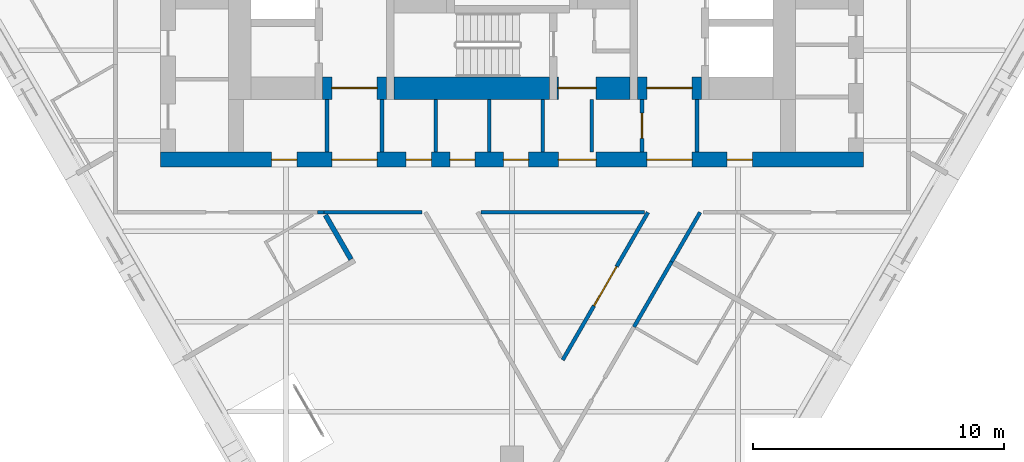
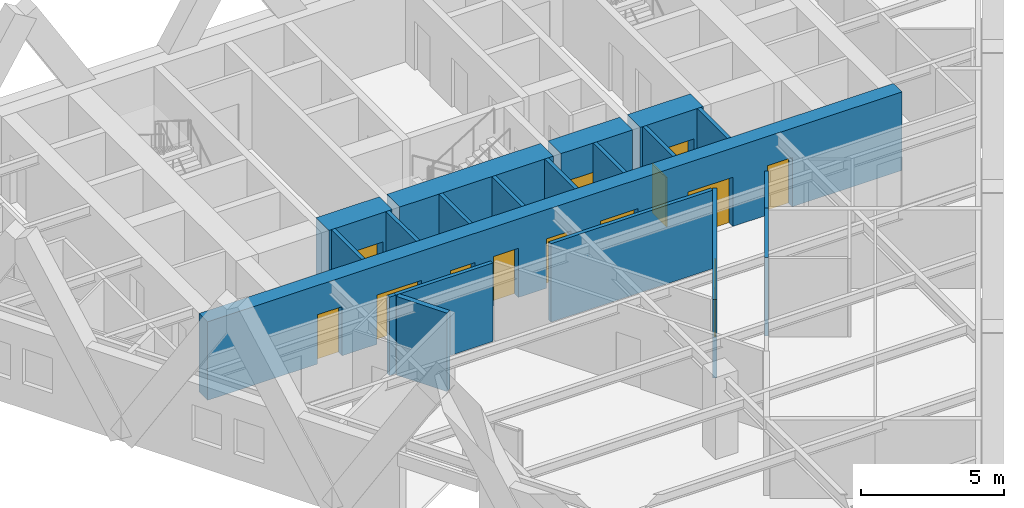
# One storey, part 7 of 12: 20 walls, 13 doors, 13 openings.
"""IFC4 building model written with IfcOpenShell, lengths in metres."""

from ifc_helpers import new_model, si_unit, direction, frame, frame_2d, origin, place, context, subcontext, project, spatial, rectangle, extrude, material, layer, layer_set, type_object, element, fill, save


model = new_model("IFC4")

# Units and contexts
model_context = context("Model", 3, precision=1e-05, world=origin(), true_north=direction((0.0, 1.0)))
body_context = subcontext(model_context, "Body", "Model", "MODEL_VIEW")
ifc_project = project(units=[si_unit("LENGTHUNIT", "METRE"), si_unit("AREAUNIT", "SQUARE_METRE"), si_unit("VOLUMEUNIT", "CUBIC_METRE"), si_unit("PLANEANGLEUNIT", "RADIAN"), si_unit("MASSUNIT", "GRAM", prefix="KILO")], contexts=[model_context])

# Site, building, storey
site_placement = place(None, origin())
site = spatial("IfcSite", under=ifc_project, at=site_placement, CompositionType="ELEMENT")
building_placement = place(site_placement, origin())
building = spatial("IfcBuilding", under=site, at=building_placement, Name="Aloe Facet Convention Tower", CompositionType="ELEMENT")
storey_placement = place(building_placement, frame((0.0, 0.0, 102.800048828125)))
storey = spatial("IfcBuildingStorey", under=building, at=storey_placement, Name="L25", CompositionType="ELEMENT", Elevation=102.800048828125)

# Walls
ifc_material_1 = material(Name="Concrete blockwork partition", Category="masonry")
ifc_layer_1 = layer(ifc_material_1, 0.14990234375)
ifc_layer_set_1 = layer_set([ifc_layer_1], Name="CR-W-PART150")
wall_type_1 = type_object("IfcWallType", Name="CR-W-PART150", PredefinedType="PARTITIONING", material=ifc_layer_set_1)
for number, where, z_axis, x_axis, name in (
    (1, (72.625, 122.25, 0.0), (0.0, 0.0, 1.0), (0.0, -1.0, 0.0), "Core partition L25-016"),
    (2, (74.824951171875, 122.25, 0.0), (0.0, 0.0, 1.0), (0.0, -1.0, 0.0), "Core partition L25-017"),
    (3, (76.958251953125, 122.25, 0.0), (0.0, 0.0, 1.0), (0.0, -1.0, 0.0), "Core partition L25-023"),
    (4, (79.091552734375, 122.25, 0.0), (0.0, 0.0, 1.0), (0.0, -1.0, 0.0), "Core partition L25-026"),
    (5, (81.22509765625, 122.25, 0.0), (0.0, 0.0, 1.0), (0.0, -1.0, 0.0), "Core partition L25-027"),
    (6, (83.175048828125, 122.25, 0.0), (0.0, 0.0, 1.0), (0.0, -1.0, 0.0), "Core partition L25-034"),
):
    element("IfcWall", number, at=place(storey_placement, frame(where, z_axis=z_axis, x_axis=x_axis)), inside=storey, type_object=wall_type_1, Name=name, PredefinedType="PARTITIONING", context=body_context, shape_type="SweptSolid", body=[
        extrude(rectangle(XDim=2.10009765625, YDim=0.14990234375, at=frame_2d((1.050048828125, 0.0))), origin(), (0.0, 0.0, 1.0), 3.349853515625),
    ])

# Wall, opening, door
wall_1_placement = place(storey_placement, frame((85.175048828125, 122.25, 0.0), z_axis=(0.0, 0.0, 1.0), x_axis=(0.0, -1.0, 0.0)))
wall_1 = element("IfcWall", 7, at=wall_1_placement, inside=storey, type_object=wall_type_1, Name="Core partition L25-040", PredefinedType="PARTITIONING", context=body_context, shape_type="SweptSolid", body=[
    extrude(rectangle(XDim=2.10009765625, YDim=0.14990234375, at=frame_2d((1.050048828125, 0.0))), origin(), (0.0, 0.0, 1.0), 3.349853515625),
])
opening_1_placement = place(wall_1_placement, frame((0.550048828125, 0.0, 0.0)))
opening_1 = element("IfcOpeningElement", 8, at=opening_1_placement, cuts=wall_1, Name="Opening L25-CD28", PredefinedType="OPENING", context=body_context, shape_type="SweptSolid", body=[
    extrude(rectangle(XDim=1.0, YDim=2.10009765625, at=frame_2d((0.5, 1.050048828125))), frame((0.0, 0.0849609375, 0.0), z_axis=(0.0, -1.0, 0.0), x_axis=(1.0, 0.0, 0.0)), (0.0, 0.0, 1.0), 0.169921875),
])
ifc_material_2 = material(Name="Steel fire-resisting door set FD60", Category="steel")
door_type_1 = type_object("IfcDoorType", Name="CR-D-ROOM-1000-FD60-SRIGHT", OperationType="SINGLE_SWING_RIGHT", PredefinedType="DOOR", material=ifc_material_2)
door_1_placement = place(opening_1_placement, origin())
door_1 = element("IfcDoor", 9, at=door_1_placement, inside=storey, type_object=door_type_1, Name="Core door L25-CD28", OperationType="SINGLE_SWING_RIGHT", OverallHeight=2.10009765625, OverallWidth=1.0, PredefinedType="DOOR", context=body_context, shape_type="SweptSolid", body=[
    extrude(rectangle(XDim=1.0, YDim=2.10009765625, at=frame_2d((0.5, 1.050048828125))), frame((0.0, 0.02490234375, 0.0), z_axis=(0.0, -1.0, 0.0), x_axis=(1.0, 0.0, 0.0)), (0.0, 0.0, 1.0), 0.050048828125),
])
fill(opening_1, door_1)

# Wall
wall_2_placement = place(storey_placement, frame((87.375, 122.25, 0.0), z_axis=(0.0, 0.0, 1.0), x_axis=(0.0, -1.0, 0.0)))
element("IfcWall", 10, at=wall_2_placement, inside=storey, type_object=wall_type_1, Name="Core partition L25-041", PredefinedType="PARTITIONING", context=body_context, shape_type="SweptSolid", body=[
    extrude(rectangle(XDim=2.10009765625, YDim=0.14990234375, at=frame_2d((1.050048828125, 0.0))), origin(), (0.0, 0.0, 1.0), 3.349853515625),
])

# Wall, openings, doors
ifc_material_3 = material(Name="Concrete C70/85", Category="concrete")
ifc_layer_2 = layer(ifc_material_3, 0.60009765625)
ifc_layer_set_2 = layer_set([ifc_layer_2], Name="CR-W-RC600-C7085")
wall_type_2 = type_object("IfcWallType", Name="CR-W-RC600-C7085", PredefinedType="SOLIDWALL", material=ifc_layer_set_2)
wall_3_placement = place(storey_placement, frame((66.0, 119.85009765625, 0.0), z_axis=(0.0, 0.0, 1.0), x_axis=(1.0, 0.0, 0.0)))
wall_3 = element("IfcWall", 11, at=wall_3_placement, inside=storey, type_object=wall_type_2, Name="Core wall L25-003", PredefinedType="SOLIDWALL", context=body_context, shape_type="SweptSolid", body=[
    extrude(rectangle(XDim=28.0, YDim=0.60009765625, at=frame_2d((14.0, 0.0))), origin(), (0.0, 0.0, 1.0), 3.349853515625),
])
opening_2_placement = place(wall_3_placement, frame((6.824951171875, 0.0, 0.0)))
opening_2 = element("IfcOpeningElement", 12, at=opening_2_placement, cuts=wall_3, Name="Opening L25-CD17", PredefinedType="OPENING", context=body_context, shape_type="SweptSolid", body=[
    extrude(rectangle(XDim=1.800048828125, YDim=2.10009765625, at=frame_2d((0.89990234375, 1.050048828125))), frame((0.0, 0.31005859375, 0.0), z_axis=(0.0, -1.0, 0.0), x_axis=(1.0, 0.0, 0.0)), (0.0, 0.0, 1.0), 0.6201171875),
])
opening_3_placement = place(wall_3_placement, frame((15.85009765625, 0.0, 0.0)))
opening_3 = element("IfcOpeningElement", 13, at=opening_3_placement, cuts=wall_3, Name="Opening L25-CD18", PredefinedType="OPENING", context=body_context, shape_type="SweptSolid", body=[
    extrude(rectangle(XDim=1.5, YDim=2.10009765625, at=frame_2d((0.75, 1.050048828125))), frame((0.0, 0.31005859375, 0.0), z_axis=(0.0, -1.0, 0.0), x_axis=(1.0, 0.0, 0.0)), (0.0, 0.0, 1.0), 0.6201171875),
])
opening_4_placement = place(wall_3_placement, frame((19.375, 0.0, 0.0)))
opening_4 = element("IfcOpeningElement", 14, at=opening_4_placement, cuts=wall_3, Name="Opening L25-CD19", PredefinedType="OPENING", context=body_context, shape_type="SweptSolid", body=[
    extrude(rectangle(XDim=1.800048828125, YDim=2.10009765625, at=frame_2d((0.89990234375, 1.050048828125))), frame((0.0, 0.31005859375, 0.0), z_axis=(0.0, -1.0, 0.0), x_axis=(1.0, 0.0, 0.0)), (0.0, 0.0, 1.0), 0.6201171875),
])
opening_5_placement = place(wall_3_placement, frame((4.425048828125, 0.0, 0.0)))
opening_5 = element("IfcOpeningElement", 15, at=opening_5_placement, cuts=wall_3, Name="Opening L25-CD24", PredefinedType="OPENING", context=body_context, shape_type="SweptSolid", body=[
    extrude(rectangle(XDim=1.0, YDim=2.10009765625, at=frame_2d((0.5, 1.050048828125))), frame((0.0, 0.31005859375, 0.0), z_axis=(0.0, -1.0, 0.0), x_axis=(1.0, 0.0, 0.0)), (0.0, 0.0, 1.0), 0.6201171875),
])
opening_6_placement = place(wall_3_placement, frame((9.783203125, 0.0, 0.0)))
opening_6 = element("IfcOpeningElement", 16, at=opening_6_placement, cuts=wall_3, Name="Opening L25-CD25", PredefinedType="OPENING", context=body_context, shape_type="SweptSolid", body=[
    extrude(rectangle(XDim=1.0, YDim=2.10009765625, at=frame_2d((0.5, 1.050048828125))), frame((0.0, 0.31005859375, 0.0), z_axis=(0.0, -1.0, 0.0), x_axis=(1.0, 0.0, 0.0)), (0.0, 0.0, 1.0), 0.6201171875),
])
opening_7_placement = place(wall_3_placement, frame((11.52490234375, 0.0, 0.0)))
opening_7 = element("IfcOpeningElement", 17, at=opening_7_placement, cuts=wall_3, Name="Opening L25-CD26", PredefinedType="OPENING", context=body_context, shape_type="SweptSolid", body=[
    extrude(rectangle(XDim=1.0, YDim=2.10009765625, at=frame_2d((0.5, 1.050048828125))), frame((0.0, 0.31005859375, 0.0), z_axis=(0.0, -1.0, 0.0), x_axis=(1.0, 0.0, 0.0)), (0.0, 0.0, 1.0), 0.6201171875),
])
opening_8_placement = place(wall_3_placement, frame((13.658203125, 0.0, 0.0)))
opening_8 = element("IfcOpeningElement", 18, at=opening_8_placement, cuts=wall_3, Name="Opening L25-CD27", PredefinedType="OPENING", context=body_context, shape_type="SweptSolid", body=[
    extrude(rectangle(XDim=1.0, YDim=2.10009765625, at=frame_2d((0.5, 1.050048828125))), frame((0.0, 0.31005859375, 0.0), z_axis=(0.0, -1.0, 0.0), x_axis=(1.0, 0.0, 0.0)), (0.0, 0.0, 1.0), 0.6201171875),
])
opening_9_placement = place(wall_3_placement, frame((22.574951171875, 0.0, 0.0)))
opening_9 = element("IfcOpeningElement", 19, at=opening_9_placement, cuts=wall_3, Name="Opening L25-CD29", PredefinedType="OPENING", context=body_context, shape_type="SweptSolid", body=[
    extrude(rectangle(XDim=1.0, YDim=2.10009765625, at=frame_2d((0.5, 1.050048828125))), frame((0.0, 0.31005859375, 0.0), z_axis=(0.0, -1.0, 0.0), x_axis=(1.0, 0.0, 0.0)), (0.0, 0.0, 1.0), 0.6201171875),
])
ifc_material_4 = material(Name="Steel fire-resisting door set FD60", Category="steel")
door_type_2 = type_object("IfcDoorType", Name="CR-D-EXIT-1500-FD60-DD", OperationType="DOUBLE_DOOR_DOUBLE_SWING", PredefinedType="DOOR", material=ifc_material_4)
door_2_placement = place(opening_3_placement, origin())
door_2 = element("IfcDoor", 20, at=door_2_placement, inside=storey, type_object=door_type_2, Name="Core door L25-CD18", OperationType="DOUBLE_DOOR_DOUBLE_SWING", OverallHeight=2.10009765625, OverallWidth=1.5, PredefinedType="DOOR", context=body_context, shape_type="SweptSolid", body=[
    extrude(rectangle(XDim=1.5, YDim=2.10009765625, at=frame_2d((0.75, 1.050048828125))), frame((0.0, 0.02490234375, 0.0), z_axis=(0.0, -1.0, 0.0), x_axis=(1.0, 0.0, 0.0)), (0.0, 0.0, 1.0), 0.050048828125),
])
fill(opening_3, door_2)
ifc_material_5 = material(Name="Steel fire-resisting door set FD60", Category="steel")
door_type_3 = type_object("IfcDoorType", Name="CR-D-EXIT-1800-FD60-DD", OperationType="DOUBLE_DOOR_DOUBLE_SWING", PredefinedType="DOOR", material=ifc_material_5)
door_3_placement = place(opening_2_placement, origin())
door_3 = element("IfcDoor", 21, at=door_3_placement, inside=storey, type_object=door_type_3, Name="Core door L25-CD17", OperationType="DOUBLE_DOOR_DOUBLE_SWING", OverallHeight=2.10009765625, OverallWidth=1.800048828125, PredefinedType="DOOR", context=body_context, shape_type="SweptSolid", body=[
    extrude(rectangle(XDim=1.800048828125, YDim=2.10009765625, at=frame_2d((0.89990234375, 1.050048828125))), frame((0.0, 0.02490234375, 0.0), z_axis=(0.0, -1.0, 0.0), x_axis=(1.0, 0.0, 0.0)), (0.0, 0.0, 1.0), 0.050048828125),
])
fill(opening_2, door_3)
door_4_placement = place(opening_4_placement, origin())
door_4 = element("IfcDoor", 22, at=door_4_placement, inside=storey, type_object=door_type_3, Name="Core door L25-CD19", OperationType="DOUBLE_DOOR_DOUBLE_SWING", OverallHeight=2.10009765625, OverallWidth=1.800048828125, PredefinedType="DOOR", context=body_context, shape_type="SweptSolid", body=[
    extrude(rectangle(XDim=1.800048828125, YDim=2.10009765625, at=frame_2d((0.89990234375, 1.050048828125))), frame((0.0, 0.02490234375, 0.0), z_axis=(0.0, -1.0, 0.0), x_axis=(1.0, 0.0, 0.0)), (0.0, 0.0, 1.0), 0.050048828125),
])
fill(opening_4, door_4)
door_5_placement = place(opening_5_placement, origin())
door_5 = element("IfcDoor", 23, at=door_5_placement, inside=storey, type_object=door_type_1, Name="Core door L25-CD24", OperationType="SINGLE_SWING_RIGHT", OverallHeight=2.10009765625, OverallWidth=1.0, PredefinedType="DOOR", context=body_context, shape_type="SweptSolid", body=[
    extrude(rectangle(XDim=1.0, YDim=2.10009765625, at=frame_2d((0.5, 1.050048828125))), frame((0.0, 0.02490234375, 0.0), z_axis=(0.0, -1.0, 0.0), x_axis=(1.0, 0.0, 0.0)), (0.0, 0.0, 1.0), 0.050048828125),
])
fill(opening_5, door_5)
door_6_placement = place(opening_6_placement, origin())
door_6 = element("IfcDoor", 24, at=door_6_placement, inside=storey, type_object=door_type_1, Name="Core door L25-CD25", OperationType="SINGLE_SWING_RIGHT", OverallHeight=2.10009765625, OverallWidth=1.0, PredefinedType="DOOR", context=body_context, shape_type="SweptSolid", body=[
    extrude(rectangle(XDim=1.0, YDim=2.10009765625, at=frame_2d((0.5, 1.050048828125))), frame((0.0, 0.02490234375, 0.0), z_axis=(0.0, -1.0, 0.0), x_axis=(1.0, 0.0, 0.0)), (0.0, 0.0, 1.0), 0.050048828125),
])
fill(opening_6, door_6)
door_7_placement = place(opening_7_placement, origin())
door_7 = element("IfcDoor", 25, at=door_7_placement, inside=storey, type_object=door_type_1, Name="Core door L25-CD26", OperationType="SINGLE_SWING_RIGHT", OverallHeight=2.10009765625, OverallWidth=1.0, PredefinedType="DOOR", context=body_context, shape_type="SweptSolid", body=[
    extrude(rectangle(XDim=1.0, YDim=2.10009765625, at=frame_2d((0.5, 1.050048828125))), frame((0.0, 0.02490234375, 0.0), z_axis=(0.0, -1.0, 0.0), x_axis=(1.0, 0.0, 0.0)), (0.0, 0.0, 1.0), 0.050048828125),
])
fill(opening_7, door_7)
door_8_placement = place(opening_8_placement, origin())
door_8 = element("IfcDoor", 26, at=door_8_placement, inside=storey, type_object=door_type_1, Name="Core door L25-CD27", OperationType="SINGLE_SWING_RIGHT", OverallHeight=2.10009765625, OverallWidth=1.0, PredefinedType="DOOR", context=body_context, shape_type="SweptSolid", body=[
    extrude(rectangle(XDim=1.0, YDim=2.10009765625, at=frame_2d((0.5, 1.050048828125))), frame((0.0, 0.02490234375, 0.0), z_axis=(0.0, -1.0, 0.0), x_axis=(1.0, 0.0, 0.0)), (0.0, 0.0, 1.0), 0.050048828125),
])
fill(opening_8, door_8)
door_9_placement = place(opening_9_placement, origin())
door_9 = element("IfcDoor", 27, at=door_9_placement, inside=storey, type_object=door_type_1, Name="Core door L25-CD29", OperationType="SINGLE_SWING_RIGHT", OverallHeight=2.10009765625, OverallWidth=1.0, PredefinedType="DOOR", context=body_context, shape_type="SweptSolid", body=[
    extrude(rectangle(XDim=1.0, YDim=2.10009765625, at=frame_2d((0.5, 1.050048828125))), frame((0.0, 0.02490234375, 0.0), z_axis=(0.0, -1.0, 0.0), x_axis=(1.0, 0.0, 0.0)), (0.0, 0.0, 1.0), 0.050048828125),
])
fill(opening_9, door_9)

# Wall, opening, door
ifc_material_6 = material(Name="Concrete C70/85", Category="concrete")
ifc_layer_3 = layer(ifc_material_6, 0.89990234375)
ifc_layer_set_3 = layer_set([ifc_layer_3], Name="CR-W-RC900-C7085")
wall_type_3 = type_object("IfcWallType", Name="CR-W-RC900-C7085", PredefinedType="SOLIDWALL", material=ifc_layer_set_3)
wall_4_placement = place(storey_placement, frame((72.449951171875, 122.699951171875, 0.0), z_axis=(0.0, 0.0, 1.0), x_axis=(1.0, 0.0, 0.0)))
wall_4 = element("IfcWall", 28, at=wall_4_placement, inside=storey, type_object=wall_type_3, Name="Core wall L25-015", PredefinedType="SOLIDWALL", context=body_context, shape_type="SweptSolid", body=[
    extrude(rectangle(XDim=2.550048828125, YDim=0.89990234375, at=frame_2d((1.27490234375, 0.0))), origin(), (0.0, 0.0, 1.0), 3.349853515625),
])
opening_10_placement = place(wall_4_placement, frame((0.375, 0.0, 0.0)))
opening_10 = element("IfcOpeningElement", 29, at=opening_10_placement, cuts=wall_4, Name="Opening L25-CD15", PredefinedType="OPENING", context=body_context, shape_type="SweptSolid", body=[
    extrude(rectangle(XDim=1.800048828125, YDim=2.10009765625, at=frame_2d((0.89990234375, 1.050048828125))), frame((0.0, 0.4599609375, 0.0), z_axis=(0.0, -1.0, 0.0), x_axis=(1.0, 0.0, 0.0)), (0.0, 0.0, 1.0), 0.919921875),
])
ifc_material_7 = material(Name="Steel fire-resisting door set FD120", Category="steel")
door_type_4 = type_object("IfcDoorType", Name="CR-D-EXIT-1800-FD120-DD", OperationType="DOUBLE_DOOR_DOUBLE_SWING", PredefinedType="DOOR", material=ifc_material_7)
door_10_placement = place(opening_10_placement, origin())
door_10 = element("IfcDoor", 30, at=door_10_placement, inside=storey, type_object=door_type_4, Name="Core door L25-CD15", OperationType="DOUBLE_DOOR_DOUBLE_SWING", OverallHeight=2.10009765625, OverallWidth=1.800048828125, PredefinedType="DOOR", context=body_context, shape_type="SweptSolid", body=[
    extrude(rectangle(XDim=1.800048828125, YDim=2.10009765625, at=frame_2d((0.89990234375, 1.050048828125))), frame((0.0, 0.02490234375, 0.0), z_axis=(0.0, -1.0, 0.0), x_axis=(1.0, 0.0, 0.0)), (0.0, 0.0, 1.0), 0.050048828125),
])
fill(opening_10, door_10)

# Wall
wall_5_placement = place(storey_placement, frame((75.300048828125, 122.699951171875, 0.0), z_axis=(0.0, 0.0, 1.0), x_axis=(1.0, 0.0, 0.0)))
element("IfcWall", 31, at=wall_5_placement, inside=storey, type_object=wall_type_3, Name="Core wall L25-022", PredefinedType="SOLIDWALL", context=body_context, shape_type="SweptSolid", body=[
    extrude(rectangle(XDim=6.199951171875, YDim=0.89990234375, at=frame_2d((3.10009765625, 0.0))), origin(), (0.0, 0.0, 1.0), 3.349853515625),
])

# Wall, opening, door
wall_6_placement = place(storey_placement, frame((81.800048828125, 122.699951171875, 0.0), z_axis=(0.0, 0.0, 1.0), x_axis=(1.0, 0.0, 0.0)))
wall_6 = element("IfcWall", 32, at=wall_6_placement, inside=storey, type_object=wall_type_3, Name="Core wall L25-029", PredefinedType="SOLIDWALL", context=body_context, shape_type="SweptSolid", body=[
    extrude(rectangle(XDim=2.89990234375, YDim=0.89990234375, at=frame_2d((1.449951171875, 0.0))), origin(), (0.0, 0.0, 1.0), 3.349853515625),
])
opening_11_placement = place(wall_6_placement, frame((0.050048828125, 0.0, 0.0)))
opening_11 = element("IfcOpeningElement", 33, at=opening_11_placement, cuts=wall_6, Name="Opening L25-CD16", PredefinedType="OPENING", context=body_context, shape_type="SweptSolid", body=[
    extrude(rectangle(XDim=1.5, YDim=2.10009765625, at=frame_2d((0.75, 1.050048828125))), frame((0.0, 0.4599609375, 0.0), z_axis=(0.0, -1.0, 0.0), x_axis=(1.0, 0.0, 0.0)), (0.0, 0.0, 1.0), 0.919921875),
])
door_11_placement = place(opening_11_placement, origin())
door_11 = element("IfcDoor", 34, at=door_11_placement, inside=storey, type_object=door_type_2, Name="Core door L25-CD16", OperationType="DOUBLE_DOOR_DOUBLE_SWING", OverallHeight=2.10009765625, OverallWidth=1.5, PredefinedType="DOOR", context=body_context, shape_type="SweptSolid", body=[
    extrude(rectangle(XDim=1.5, YDim=2.10009765625, at=frame_2d((0.75, 1.050048828125))), frame((0.0, 0.02490234375, 0.0), z_axis=(0.0, -1.0, 0.0), x_axis=(1.0, 0.0, 0.0)), (0.0, 0.0, 1.0), 0.050048828125),
])
fill(opening_11, door_11)

wall_7_placement = place(storey_placement, frame((85.0, 122.699951171875, 0.0), z_axis=(0.0, 0.0, 1.0), x_axis=(1.0, 0.0, 0.0)))
wall_7 = element("IfcWall", 35, at=wall_7_placement, inside=storey, type_object=wall_type_3, Name="Core wall L25-039", PredefinedType="SOLIDWALL", context=body_context, shape_type="SweptSolid", body=[
    extrude(rectangle(XDim=2.550048828125, YDim=0.89990234375, at=frame_2d((1.27490234375, 0.0))), origin(), (0.0, 0.0, 1.0), 3.349853515625),
])
opening_12_placement = place(wall_7_placement, frame((0.375, 0.0, 0.0)))
opening_12 = element("IfcOpeningElement", 36, at=opening_12_placement, cuts=wall_7, Name="Opening L25-CD14", PredefinedType="OPENING", context=body_context, shape_type="SweptSolid", body=[
    extrude(rectangle(XDim=1.800048828125, YDim=2.10009765625, at=frame_2d((0.89990234375, 1.050048828125))), frame((0.0, 0.4599609375, 0.0), z_axis=(0.0, -1.0, 0.0), x_axis=(1.0, 0.0, 0.0)), (0.0, 0.0, 1.0), 0.919921875),
])
door_12_placement = place(opening_12_placement, origin())
door_12 = element("IfcDoor", 37, at=door_12_placement, inside=storey, type_object=door_type_4, Name="Core door L25-CD14", OperationType="DOUBLE_DOOR_DOUBLE_SWING", OverallHeight=2.10009765625, OverallWidth=1.800048828125, PredefinedType="DOOR", context=body_context, shape_type="SweptSolid", body=[
    extrude(rectangle(XDim=1.800048828125, YDim=2.10009765625, at=frame_2d((0.89990234375, 1.050048828125))), frame((0.0, 0.02490234375, 0.0), z_axis=(0.0, -1.0, 0.0), x_axis=(1.0, 0.0, 0.0)), (0.0, 0.0, 1.0), 0.050048828125),
])
fill(opening_12, door_12)

ifc_material_8 = material(Name="Gypsum board partition on steel studs", Category="steel")
ifc_layer_4 = layer(ifc_material_8, 0.14990234375)
ifc_layer_set_4 = layer_set([ifc_layer_4], Name="IN-W-CORR")
wall_type_4 = type_object("IfcWallType", Name="IN-W-CORR", PredefinedType="PARTITIONING", material=ifc_layer_set_4)
wall_8_placement = place(storey_placement, frame((82.020751953125, 111.87060546875, 0.0), z_axis=(0.0, 0.0, 1.0), x_axis=(0.500006764785, 0.866021498099, 0.0)))
wall_8 = element("IfcWall", 38, at=wall_8_placement, inside=storey, type_object=wall_type_4, Name="Partition L25-W007", PredefinedType="PARTITIONING", context=body_context, shape_type="SweptSolid", body=[
    extrude(rectangle(XDim=6.7890625, YDim=0.14990234375, at=frame_2d((3.39453125, 0.0))), origin(), (0.0, 0.0, 1.0), 3.349853515625),
])
opening_13_placement = place(wall_8_placement, frame((2.49462890625, 0.0, 0.0)))
opening_13 = element("IfcOpeningElement", 39, at=opening_13_placement, cuts=wall_8, Name="Opening L25-006", PredefinedType="OPENING", context=body_context, shape_type="SweptSolid", body=[
    extrude(rectangle(XDim=1.800048828125, YDim=2.10009765625, at=frame_2d((0.89990234375, 1.050048828125))), frame((0.0, 0.0849609375, 0.0), z_axis=(0.0, -1.0, 0.0), x_axis=(1.0, 0.0, 0.0)), (0.0, 0.0, 1.0), 0.169921875),
])
ifc_material_9 = material(Name="Timber flush door pair", Category="wood")
door_type_5 = type_object("IfcDoorType", Name="IN-D-PAIR-U", OperationType="DOUBLE_DOOR_SINGLE_SWING", PredefinedType="DOOR", material=ifc_material_9)
door_13_placement = place(opening_13_placement, origin())
door_13 = element("IfcDoor", 40, at=door_13_placement, inside=storey, type_object=door_type_5, Name="Door L25-006", OperationType="SINGLE_SWING_LEFT", OverallHeight=2.10009765625, OverallWidth=1.800048828125, PredefinedType="DOOR", context=body_context, shape_type="SweptSolid", body=[
    extrude(rectangle(XDim=1.800048828125, YDim=2.10009765625, at=frame_2d((0.89990234375, 1.050048828125))), frame((0.0, 0.02490234375, 0.0), z_axis=(0.0, -1.0, 0.0), x_axis=(1.0, 0.0, 0.0)), (0.0, 0.0, 1.0), 0.050048828125),
])
fill(opening_13, door_13)

# Walls
wall_9_placement = place(storey_placement, frame((84.859375, 113.187255859375, 0.0), z_axis=(0.0, 0.0, 1.0), x_axis=(0.50002537861, 0.866010750942, 0.0)))
element("IfcWall", 41, at=wall_9_placement, inside=storey, type_object=wall_type_4, Name="Partition L25-W012", PredefinedType="PARTITIONING", context=body_context, shape_type="SweptSolid", body=[
    extrude(rectangle(XDim=2.999755859375, YDim=0.14990234375, at=frame_2d((1.5, 0.0))), origin(), (0.0, 0.0, 1.0), 3.349853515625),
])
wall_10_placement = place(storey_placement, frame((86.359375, 115.78515625, 0.0), z_axis=(0.0, 0.0, 1.0), x_axis=(0.499958437573, 0.866049398533, 0.0)))
element("IfcWall", 42, at=wall_10_placement, inside=storey, type_object=wall_type_4, Name="Partition L25-W030", PredefinedType="PARTITIONING", context=body_context, shape_type="SweptSolid", body=[
    extrude(rectangle(XDim=2.268798828125, YDim=0.14990234375, at=frame_2d((1.13427734375, 0.0))), origin(), (0.0, 0.0, 1.0), 3.349853515625),
])
wall_11_placement = place(storey_placement, frame((72.24365234375, 117.75, 0.0), z_axis=(0.0, 0.0, 1.0), x_axis=(1.0, 0.0, 0.0)))
element("IfcWall", 43, at=wall_11_placement, inside=storey, type_object=wall_type_4, Name="Partition L25-W034", PredefinedType="PARTITIONING", context=body_context, shape_type="SweptSolid", body=[
    extrude(rectangle(XDim=0.2626953125, YDim=0.14990234375, at=frame_2d((0.13134765625, 0.0))), origin(), (0.0, 0.0, 1.0), 3.349853515625),
])
wall_12_placement = place(storey_placement, frame((72.50634765625, 117.75, 0.0), z_axis=(0.0, 0.0, 1.0), x_axis=(1.0, 0.0, 0.0)))
element("IfcWall", 44, at=wall_12_placement, inside=storey, type_object=wall_type_4, Name="Partition L25-W037", PredefinedType="PARTITIONING", context=body_context, shape_type="SweptSolid", body=[
    extrude(rectangle(XDim=3.91162109375, YDim=0.14990234375, at=frame_2d((1.955810546875, 0.0))), origin(), (0.0, 0.0, 1.0), 3.349853515625),
])
wall_13_placement = place(storey_placement, frame((78.756103515625, 117.75, 0.0), z_axis=(0.0, 0.0, 1.0), x_axis=(1.0, 0.0, 0.0)))
element("IfcWall", 45, at=wall_13_placement, inside=storey, type_object=wall_type_4, Name="Partition L25-W039", PredefinedType="PARTITIONING", context=body_context, shape_type="SweptSolid", body=[
    extrude(rectangle(XDim=6.529296875, YDim=0.14990234375, at=frame_2d((3.2646484375, 0.0))), origin(), (0.0, 0.0, 1.0), 3.349853515625),
])
ifc_material_10 = material(Name="Gypsum board partition on steel studs", Category="steel")
ifc_layer_5 = layer(ifc_material_10, 0.199951171875)
ifc_layer_set_5 = layer_set([ifc_layer_5], Name="IN-W-PARTY")
wall_type_5 = type_object("IfcWallType", Name="IN-W-PARTY", PredefinedType="PARTITIONING", material=ifc_layer_set_5)
wall_14_placement = place(storey_placement, frame((72.56884765625, 117.641845703125, 0.0), z_axis=(0.0, 0.0, 1.0), x_axis=(0.49976748816, -0.866159602948, 0.0)))
element("IfcWall", 46, at=wall_14_placement, inside=storey, type_object=wall_type_5, Name="Partition L25-W036", PredefinedType="PARTITIONING", context=body_context, shape_type="SweptSolid", body=[
    extrude(rectangle(XDim=2.03369140625, YDim=0.199951171875, at=frame_2d((1.016845703125, 0.0))), origin(), (0.0, 0.0, 1.0), 3.349853515625),
])

save(model, "model.ifc")
